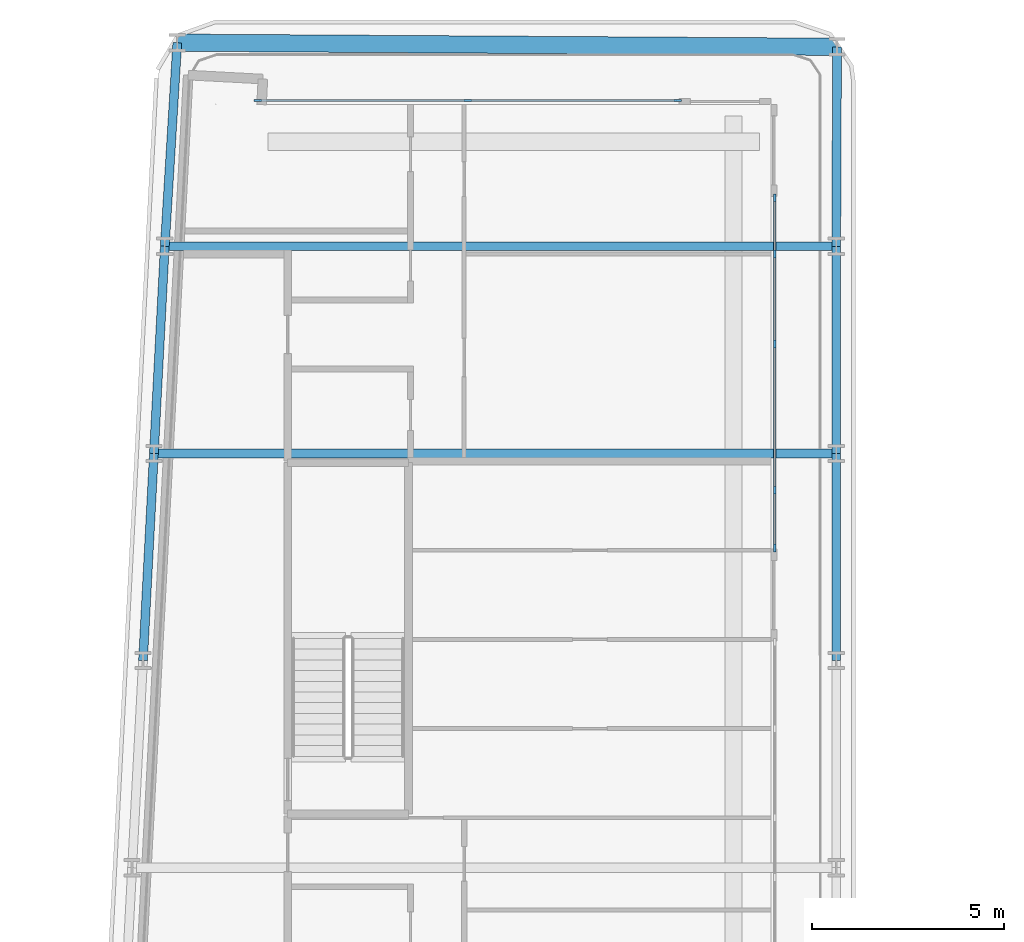
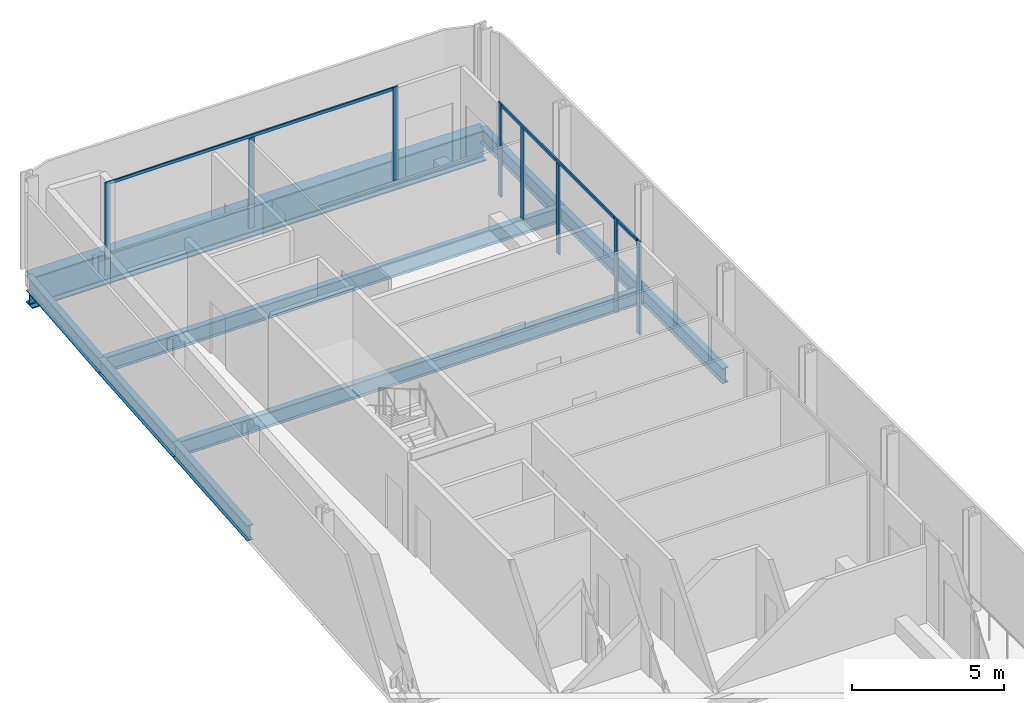
# One storey, part 9 of 27: 11 members, 9 beams, 3 elements without a shape of their own.
"""IFC4 building model written with IfcOpenShell, lengths in metres."""

import ifcopenshell
import ifcopenshell.guid

model = None  # the IFC model being written
_history = None  # IfcOwnerHistory: only IFC2X3 demands one
_inside = {}  # id of a spatial element -> (the spatial element, [elements in it])
_under = {}  # id of a project, library or spatial element -> (it, [spatial elements below it])
_declared = {}  # id of a project -> (the project, [libraries it declares])
_typed = {}  # id of a type object -> (the type object, [elements of that type])
_made_of = {}  # id of a material, layer set ... -> (it, [elements and type objects made of it])


def new_model(schema):
    """Start an empty IFC model of exactly this schema.

    Asked for "IFC4X3", IfcOpenShell would pick the latest addendum, in which some entities
    have other attributes; the version numbers below select the first issue.
    IFC2X3 requires an IfcOwnerHistory on every rooted entity: one is made here for all.
    """
    global model, _history
    if schema == "IFC4X3":
        model = ifcopenshell.file(schema_version=(4, 3, 0, 0))
    else:
        model = ifcopenshell.file(schema=schema)
    _inside.clear()
    _under.clear()
    _declared.clear()
    _typed.clear()
    _made_of.clear()
    _history = None
    if model.schema == "IFC2X3":
        org = make("IfcOrganization", Name="unknown")
        user = make(
            "IfcPersonAndOrganization",
            ThePerson=make("IfcPerson", FamilyName="unknown"),
            TheOrganization=org,
        )
        app = make(
            "IfcApplication",
            ApplicationDeveloper=org,
            Version="unknown",
            ApplicationFullName="unknown",
            ApplicationIdentifier="unknown",
        )
        _history = make(
            "IfcOwnerHistory",
            OwningUser=user,
            OwningApplication=app,
            ChangeAction="ADDED",
            CreationDate=0,
        )
    return model


def make(cls, **values):
    """One entity of the class cls with the attributes given. An attribute that is None is left unset."""
    return model.create_entity(
        cls, **{name: value for name, value in values.items() if value is not None}
    )


def rooted(cls, **values):
    """An entity with a GlobalId (a new one), such as an element, a storey or a relation."""
    return make(cls, GlobalId=ifcopenshell.guid.new(), OwnerHistory=_history, **values)


def si_unit(unit_type, name, prefix=None):
    """IfcSIUnit, for example si_unit("LENGTHUNIT", "METRE", prefix="MILLI")."""
    return make("IfcSIUnit", UnitType=unit_type, Prefix=prefix, Name=name)


def assignment(units):
    """IfcUnitAssignment: the units of a project."""
    return None if units is None else make("IfcUnitAssignment", Units=units)


def point(xyz):
    """IfcCartesianPoint."""
    return None if xyz is None else make("IfcCartesianPoint", Coordinates=xyz)


def direction(xyz):
    """IfcDirection."""
    return None if xyz is None else make("IfcDirection", DirectionRatios=xyz)


def frame(location, z_axis=None, x_axis=None):
    """IfcAxis2Placement3D, a coordinate frame: its origin and axes. An axis left out is left unset."""
    return make(
        "IfcAxis2Placement3D",
        Location=point(location),
        Axis=direction(z_axis),
        RefDirection=direction(x_axis),
    )


def frame_2d(location, x_axis=None):
    """IfcAxis2Placement2D, a coordinate frame in the plane: its origin and x axis."""
    return make(
        "IfcAxis2Placement2D", Location=point(location), RefDirection=direction(x_axis)
    )


def origin():
    """The frame at (0, 0, 0) with its axes left unset."""
    return frame((0.0, 0.0, 0.0))


def origin_2d():
    """The frame at (0, 0) in the plane with its x axis left unset."""
    return frame_2d((0.0, 0.0))


def place(relative_to, where):
    """IfcLocalPlacement: puts the frame where relative to a parent placement (None: the world)."""
    return make(
        "IfcLocalPlacement", PlacementRelTo=relative_to, RelativePlacement=where
    )


def context(
    kind, dimensions, precision=None, world=None, true_north=None, identifier=None
):
    """IfcGeometricRepresentationContext, for example the 3D "Model" context."""
    return make(
        "IfcGeometricRepresentationContext",
        ContextIdentifier=identifier,
        ContextType=kind,
        CoordinateSpaceDimension=dimensions,
        Precision=precision,
        WorldCoordinateSystem=world,
        TrueNorth=true_north,
    )


def subcontext(parent, identifier, kind, view, scale=None):
    """IfcGeometricRepresentationSubContext, for example "Body" below "Model"."""
    return make(
        "IfcGeometricRepresentationSubContext",
        ContextIdentifier=identifier,
        ContextType=kind,
        ParentContext=parent,
        TargetScale=scale,
        TargetView=view,
    )


def project(units=None, contexts=None):
    """IfcProject with its units and contexts."""
    return rooted(
        "IfcProject",
        Name="project",
        RepresentationContexts=contexts,
        UnitsInContext=assignment(units),
    )


def spatial(cls, under=None, at=None, **own):
    """A site, building, storey or space (cls), placed at a placement, below another one or the project."""
    s = rooted(cls, ObjectPlacement=at, **own)
    if under is not None:
        _under.setdefault(under.id(), (under, []))[1].append(s)
    return s


def profile(cls, at=None, kind="AREA", **sizes):
    """A parametric profile (cls). Its sizes go by their IFC names, for example OverallWidth=200.0."""
    return make(cls, ProfileType=kind, Position=at, **sizes)


def rectangle(**sizes):
    """IfcRectangleProfileDef."""
    return profile("IfcRectangleProfileDef", **sizes)


def i_section(**sizes):
    """IfcIShapeProfileDef."""
    return profile("IfcIShapeProfileDef", **sizes)


def extrude(swept, where, along, depth):
    """IfcExtrudedAreaSolid: the profile swept, set in the frame where, extruded along a direction by depth."""
    return make(
        "IfcExtrudedAreaSolid",
        SweptArea=swept,
        Position=where,
        ExtrudedDirection=direction(along),
        Depth=depth,
    )


def shape(context_of_items, identifier, shape_type, items):
    """IfcShapeRepresentation: the items that make up one representation, for example the "Body"."""
    return make(
        "IfcShapeRepresentation",
        ContextOfItems=context_of_items,
        RepresentationIdentifier=identifier,
        RepresentationType=shape_type,
        Items=items,
    )


def material(Name=None, Category=None):
    """IfcMaterial."""
    return make("IfcMaterial", Name=Name, Category=Category)


def layer(
    of_material, thickness, ventilated=None, Name=None, Category=None, Priority=None
):
    """IfcMaterialLayer: one layer of a wall or slab, of a material (None: an air gap)."""
    return make(
        "IfcMaterialLayer",
        Material=of_material,
        LayerThickness=thickness,
        IsVentilated=ventilated,
        Name=Name,
        Category=Category,
        Priority=Priority,
    )


def layer_set(layers, Name=None):
    """IfcMaterialLayerSet."""
    return make("IfcMaterialLayerSet", MaterialLayers=layers, LayerSetName=Name)


def material_profile(
    of_material, cross_section, Name=None, Category=None, Priority=None
):
    """IfcMaterialProfile: a cross section and its material."""
    return make(
        "IfcMaterialProfile",
        Name=Name,
        Material=of_material,
        Profile=cross_section,
        Priority=Priority,
        Category=Category,
    )


def profile_set(profiles, Name=None, composite=None):
    """IfcMaterialProfileSet."""
    return make(
        "IfcMaterialProfileSet",
        Name=Name,
        MaterialProfiles=profiles,
        CompositeProfile=composite,
    )


def made_of(thing, what):
    """Note that an element or type object is made of a material, layer set ...; save() writes the relation."""
    if what is not None:
        _made_of.setdefault(what.id(), (what, []))[1].append(thing)
    return thing


def type_object(cls, material=None, **own):
    """A type object (cls), such as IfcWallType, which elements share."""
    return made_of(rooted(cls, **own), material)


def element(
    cls,
    number,
    at=None,
    inside=None,
    cuts=None,
    type_object=None,
    material=None,
    context=None,
    identifier="Body",
    shape_type=None,
    held_by="IfcProductDefinitionShape",
    body=None,
    shapes=None,
    **own,
):
    """One element of the class cls, such as IfcWall. Its Tag is "e" and its number.

    at: its placement. inside: the storey or other place that contains it. cuts: it is an
    opening in that element (IfcRelVoidsElement). A single representation is given by context,
    identifier, shape_type and body (its items); several are given by shapes. held_by: the class
    of the entity that holds the representations. save() writes the other relations.
    """
    e = rooted(cls, Tag="e%d" % number, ObjectPlacement=at, **own)
    if body is not None:
        shapes = [shape(context, identifier, shape_type, body)]
    if shapes is not None:
        e.Representation = make(held_by, Representations=shapes)
    if inside is not None:
        _inside.setdefault(inside.id(), (inside, []))[1].append(e)
    if cuts is not None:
        rooted(
            "IfcRelVoidsElement", RelatingBuildingElement=cuts, RelatedOpeningElement=e
        )
    if type_object is not None:
        _typed.setdefault(type_object.id(), (type_object, []))[1].append(e)
    return made_of(e, material)


def aggregate(whole, parts):
    """IfcRelAggregates: a whole, such as a stair, and the parts it consists of."""
    return rooted("IfcRelAggregates", RelatingObject=whole, RelatedObjects=parts)


def save(model, path):
    """Write the relations noted so far, then the file.

    IfcRelAggregates (storeys below a building ...), IfcRelContainedInSpatialStructure (elements
    in a storey), IfcRelDefinesByType, IfcRelAssociatesMaterial and IfcRelDeclares: one each for
    every whole, place, type object, material and project.
    """
    for whole, parts in _under.values():
        aggregate(whole, parts)
    for where, things in _inside.values():
        rooted(
            "IfcRelContainedInSpatialStructure",
            RelatedElements=things,
            RelatingStructure=where,
        )
    for kind, things in _typed.values():
        rooted("IfcRelDefinesByType", RelatedObjects=things, RelatingType=kind)
    for what, things in _made_of.values():
        rooted("IfcRelAssociatesMaterial", RelatedObjects=things, RelatingMaterial=what)
    for by, libraries in _declared.values():
        rooted("IfcRelDeclares", RelatingContext=by, RelatedDefinitions=libraries)
    model.write(path)


model = new_model("IFC4")

# Units and contexts
model_context = context("Model", 3, precision=1e-05, world=origin(), true_north=direction((0.0, 1.0)))
body_context = subcontext(model_context, "Body", "Model", "MODEL_VIEW")
ifc_project = project(units=[si_unit("LENGTHUNIT", "METRE"), si_unit("AREAUNIT", "SQUARE_METRE"), si_unit("VOLUMEUNIT", "CUBIC_METRE"), si_unit("PLANEANGLEUNIT", "RADIAN"), si_unit("MASSUNIT", "GRAM", prefix="KILO")], contexts=[model_context])

# Site, building, storey
site_placement = place(None, origin())
site = spatial("IfcSite", under=ifc_project, at=site_placement, CompositionType="ELEMENT")
building_placement = place(site_placement, origin())
building = spatial("IfcBuilding", under=site, at=building_placement, Name="Kheshtan School and Residences Tower", CompositionType="ELEMENT")
storey_placement = place(building_placement, frame((0.0, 0.0, 46.10009765625)))
storey = spatial("IfcBuildingStorey", under=building, at=storey_placement, Name="L10", CompositionType="ELEMENT", Elevation=46.10009765625)

# Beams
ifc_material_1 = material(Name="Steel ASTM A992 Grade 50", Category="steel")
ifc_material_profile_1 = material_profile(ifc_material_1, i_section(OverallWidth=0.22802734375, OverallDepth=0.60302734375, WebThickness=0.010498046875, FlangeThickness=0.014892578125, FilletRadius=0.013427734375, at=origin_2d()), Name="W610x101")
ifc_profile_set_1 = profile_set([ifc_material_profile_1], Name="Steel ASTM A992 Grade 50")
beam_type_1 = type_object("IfcBeamType", Name="Beam FB5 W610x101 ASTM A992 Grade 50", PredefinedType="BEAM", material=ifc_profile_set_1)
beam_1_placement = place(storey_placement, frame((47.60009765625, 94.199951171875, -0.45166015625), z_axis=(-1.0, 0.0, 0.0), x_axis=(0.0, -1.0, 0.0)))
element("IfcBeam", 1, at=beam_1_placement, inside=storey, type_object=beam_type_1, Name="Floor beam C107", PredefinedType="BEAM", context=body_context, shape_type="SweptSolid", body=[
    extrude(i_section(OverallWidth=0.22802734375, OverallDepth=0.60302734375, WebThickness=0.010498046875, FlangeThickness=0.014892578125, FilletRadius=0.013427734375, at=origin_2d()), origin(), (0.0, 0.0, 1.0), 17.505126953125),
])
beam_2_placement = place(storey_placement, frame((29.81103515625, 88.800048828125, -0.45166015625), z_axis=(1.0, 0.0, 0.0), x_axis=(0.0, 1.0, 0.0)))
element("IfcBeam", 2, at=beam_2_placement, inside=storey, type_object=beam_type_1, Name="Floor beam C098", PredefinedType="BEAM", context=body_context, shape_type="SweptSolid", body=[
    extrude(i_section(OverallWidth=0.22802734375, OverallDepth=0.60302734375, WebThickness=0.010498046875, FlangeThickness=0.014892578125, FilletRadius=0.013427734375, at=origin_2d()), origin(), (0.0, 0.0, 1.0), 17.7890625),
])
ifc_material_profile_2 = material_profile(ifc_material_1, i_section(OverallWidth=0.22998046875, OverallDepth=0.616943359375, WebThickness=0.01318359375, FlangeThickness=0.022216796875, FilletRadius=0.0185546875, at=origin_2d()), Name="W610x140")
ifc_profile_set_2 = profile_set([ifc_material_profile_2], Name="Steel ASTM A992 Grade 50")
beam_type_2 = type_object("IfcBeamType", Name="Beam SP1 W610x140 ASTM A992 Grade 50", PredefinedType="BEAM", material=ifc_profile_set_2)
beam_3_placement = place(storey_placement, frame((47.6220703125, 99.40087890625, -0.45849609375), z_axis=(-0.004224719374, -0.999991075833, 0.0), x_axis=(0.999991075833, -0.004224719374, 0.0)))
element("IfcBeam", 3, at=beam_3_placement, inside=storey, type_object=beam_type_2, Name="Spandrel beam C111-C107", PredefinedType="BEAM", context=body_context, shape_type="SweptSolid", body=[
    extrude(i_section(OverallWidth=0.22998046875, OverallDepth=0.616943359375, WebThickness=0.01318359375, FlangeThickness=0.022216796875, FilletRadius=0.0185546875, at=origin_2d()), origin(), (0.0, 0.0, 1.0), 5.200927734375),
])
beam_4_placement = place(storey_placement, frame((47.60009765625, 94.199951171875, -0.45849609375), z_axis=(0.0, -1.0, 0.0), x_axis=(1.0, 0.0, 0.0)))
element("IfcBeam", 4, at=beam_4_placement, inside=storey, type_object=beam_type_2, Name="Spandrel beam C107-C099", PredefinedType="BEAM", context=body_context, shape_type="SweptSolid", body=[
    extrude(i_section(OverallWidth=0.22998046875, OverallDepth=0.616943359375, WebThickness=0.01318359375, FlangeThickness=0.022216796875, FilletRadius=0.0185546875, at=origin_2d()), origin(), (0.0, 0.0, 1.0), 5.39990234375),
])
beam_5_placement = place(storey_placement, frame((47.60009765625, 88.800048828125, -0.45849609375), z_axis=(0.0, -1.0, 0.0), x_axis=(1.0, 0.0, 0.0)))
element("IfcBeam", 5, at=beam_5_placement, inside=storey, type_object=beam_type_2, Name="Spandrel beam C099-C091", PredefinedType="BEAM", context=body_context, shape_type="SweptSolid", body=[
    extrude(i_section(OverallWidth=0.22998046875, OverallDepth=0.616943359375, WebThickness=0.01318359375, FlangeThickness=0.022216796875, FilletRadius=0.0185546875, at=origin_2d()), origin(), (0.0, 0.0, 1.0), 5.400146484375),
])
beam_6_placement = place(storey_placement, frame((29.527099609375, 83.39990234375, -0.45849609375), z_axis=(0.05250670125, 0.998620571751, 0.0), x_axis=(-0.998620571751, 0.05250670125, 0.0)))
element("IfcBeam", 6, at=beam_6_placement, inside=storey, type_object=beam_type_2, Name="Spandrel beam C090-C098", PredefinedType="BEAM", context=body_context, shape_type="SweptSolid", body=[
    extrude(i_section(OverallWidth=0.22998046875, OverallDepth=0.616943359375, WebThickness=0.01318359375, FlangeThickness=0.022216796875, FilletRadius=0.0185546875, at=origin_2d()), origin(), (0.0, 0.0, 1.0), 5.40771484375),
])
beam_7_placement = place(storey_placement, frame((29.81103515625, 88.800048828125, -0.45849609375), z_axis=(0.05250906864, 0.998620447272, 0.0), x_axis=(-0.998620447272, 0.05250906864, 0.0)))
element("IfcBeam", 7, at=beam_7_placement, inside=storey, type_object=beam_type_2, Name="Spandrel beam C098-C106", PredefinedType="BEAM", context=body_context, shape_type="SweptSolid", body=[
    extrude(i_section(OverallWidth=0.22998046875, OverallDepth=0.616943359375, WebThickness=0.01318359375, FlangeThickness=0.022216796875, FilletRadius=0.0185546875, at=origin_2d()), origin(), (0.0, 0.0, 1.0), 5.407470703125),
])
beam_8_placement = place(storey_placement, frame((30.094970703125, 94.199951171875, -0.45849609375), z_axis=(0.061275241914, 0.998120906869, 0.0), x_axis=(-0.998120906869, 0.061275241914, 0.0)))
element("IfcBeam", 8, at=beam_8_placement, inside=storey, type_object=beam_type_2, Name="Spandrel beam C106-C120", PredefinedType="BEAM", context=body_context, shape_type="SweptSolid", body=[
    extrude(i_section(OverallWidth=0.22998046875, OverallDepth=0.616943359375, WebThickness=0.01318359375, FlangeThickness=0.022216796875, FilletRadius=0.0185546875, at=origin_2d()), origin(), (0.0, 0.0, 1.0), 5.319091796875),
])

# Curtain wall, members
ifc_material_2 = material(Name="Clear low-e glass in thermally broken aluminium frame", Category="aluminium")
ifc_layer = layer(ifc_material_2, 0.199951171875)
ifc_layer_set = layer_set([ifc_layer], Name="Curtain wall CW-L")
curtain_wall_type = type_object("IfcCurtainWallType", Name="Curtain wall CW-L", PredefinedType="NOTDEFINED", material=ifc_layer_set)
curtain_wall_1_placement = place(storey_placement, origin())
curtain_wall_1 = element("IfcCurtainWall", 9, at=curtain_wall_1_placement, inside=storey, type_object=curtain_wall_type, Name="Curtain wall CWL7", PredefinedType="NOTDEFINED")
ifc_material_3 = material(Name="Thermally broken aluminium, dark bronze anodised", Category="aluminium")
ifc_material_profile_3 = material_profile(ifc_material_3, rectangle(XDim=0.06005859375, YDim=0.199951171875, at=origin_2d()), Name="CW-L mullion 60x200")
ifc_profile_set_3 = profile_set([ifc_material_profile_3], Name="Thermally broken aluminium, dark bronze anodised")
member_type_1 = type_object("IfcMemberType", Name="CW-L mullion 60x200", PredefinedType="MULLION", material=ifc_profile_set_3)
member_1_placement = place(storey_placement, frame((32.52197265625, 98.0, 0.0), z_axis=(0.0, 0.0, 1.0), x_axis=(0.0, 1.0, 0.0)))
member_1 = element("IfcMember", 10, at=member_1_placement, type_object=member_type_1, Name="CWL7 mullion 1", PredefinedType="MULLION", context=body_context, shape_type="SweptSolid", body=[
    extrude(rectangle(XDim=0.06005859375, YDim=0.199951171875, at=origin_2d()), origin(), (0.0, 0.0, 1.0), 3.75),
])
member_2_placement = place(storey_placement, frame((37.99609375, 98.0, 0.0), z_axis=(0.0, 0.0, 1.0), x_axis=(0.0, 1.0, 0.0)))
member_2 = element("IfcMember", 11, at=member_2_placement, type_object=member_type_1, Name="CWL7 mullion 2", PredefinedType="MULLION", context=body_context, shape_type="SweptSolid", body=[
    extrude(rectangle(XDim=0.06005859375, YDim=0.199951171875, at=origin_2d()), origin(), (0.0, 0.0, 1.0), 3.6298828125),
])
member_3_placement = place(storey_placement, frame((43.469970703125, 98.0, 0.0), z_axis=(0.0, 0.0, 1.0), x_axis=(0.0, 1.0, 0.0)))
member_3 = element("IfcMember", 12, at=member_3_placement, type_object=member_type_1, Name="CWL7 mullion 3", PredefinedType="MULLION", context=body_context, shape_type="SweptSolid", body=[
    extrude(rectangle(XDim=0.06005859375, YDim=0.199951171875, at=origin_2d()), origin(), (0.0, 0.0, 1.0), 3.75),
])

curtain_wall_2_placement = place(storey_placement, origin())
curtain_wall_2 = element("IfcCurtainWall", 13, at=curtain_wall_2_placement, inside=storey, type_object=curtain_wall_type, Name="Curtain wall CWL8c", PredefinedType="NOTDEFINED")
member_4_placement = place(storey_placement, frame((46.0, 95.469970703125, 0.0), z_axis=(0.0, 0.0, 1.0), x_axis=(1.0, 0.0, 0.0)))
member_4 = element("IfcMember", 14, at=member_4_placement, type_object=member_type_1, Name="CWL8c mullion 1", PredefinedType="MULLION", context=body_context, shape_type="SweptSolid", body=[
    extrude(rectangle(XDim=0.06005859375, YDim=0.199951171875, at=origin_2d()), origin(), (0.0, 0.0, 1.0), 3.75),
])
member_5_placement = place(storey_placement, frame((46.0, 94.0, 0.0), z_axis=(0.0, 0.0, 1.0), x_axis=(1.0, 0.0, 0.0)))
member_5 = element("IfcMember", 15, at=member_5_placement, type_object=member_type_1, Name="CWL8c mullion 2", PredefinedType="MULLION", context=body_context, shape_type="SweptSolid", body=[
    extrude(rectangle(XDim=0.06005859375, YDim=0.199951171875, at=origin_2d()), origin(), (0.0, 0.0, 1.0), 3.6298828125),
])
member_6_placement = place(storey_placement, frame((46.0, 91.653076171875, 0.0), z_axis=(0.0, 0.0, 1.0), x_axis=(1.0, 0.0, 0.0)))
member_6 = element("IfcMember", 16, at=member_6_placement, type_object=member_type_1, Name="CWL8c mullion 3", PredefinedType="MULLION", context=body_context, shape_type="SweptSolid", body=[
    extrude(rectangle(XDim=0.06005859375, YDim=0.199951171875, at=origin_2d()), origin(), (0.0, 0.0, 1.0), 3.6298828125),
])
member_7_placement = place(storey_placement, frame((46.0, 87.8359375, 0.0), z_axis=(0.0, 0.0, 1.0), x_axis=(1.0, 0.0, 0.0)))
member_7 = element("IfcMember", 17, at=member_7_placement, type_object=member_type_1, Name="CWL8c mullion 4", PredefinedType="MULLION", context=body_context, shape_type="SweptSolid", body=[
    extrude(rectangle(XDim=0.06005859375, YDim=0.199951171875, at=origin_2d()), origin(), (0.0, 0.0, 1.0), 3.75),
])

# Curtain wall, member
curtain_wall_3_placement = place(storey_placement, origin())
curtain_wall_3 = element("IfcCurtainWall", 18, at=curtain_wall_3_placement, inside=storey, type_object=curtain_wall_type, Name="Curtain wall CWL8a", PredefinedType="NOTDEFINED")
member_8_placement = place(storey_placement, frame((46.0, 86.3359375, 0.0), z_axis=(0.0, 0.0, 1.0), x_axis=(1.0, 0.0, 0.0)))
member_8 = element("IfcMember", 19, at=member_8_placement, type_object=member_type_1, Name="CWL8a mullion 2", PredefinedType="MULLION", context=body_context, shape_type="SweptSolid", body=[
    extrude(rectangle(XDim=0.06005859375, YDim=0.199951171875, at=origin_2d()), origin(), (0.0, 0.0, 1.0), 3.75),
])

# Member
ifc_material_profile_4 = material_profile(ifc_material_3, rectangle(XDim=0.06005859375, YDim=0.1201171875, at=origin_2d()), Name="CW-L transom 60x120")
ifc_profile_set_4 = profile_set([ifc_material_profile_4], Name="Thermally broken aluminium, dark bronze anodised")
member_type_2 = type_object("IfcMemberType", Name="CW-L transom 60x120", PredefinedType="USERDEFINED", material=ifc_profile_set_4)
member_9_placement = place(storey_placement, frame((32.552001953125, 98.0, 3.68994140625), z_axis=(1.0, 0.0, 0.0), x_axis=(0.0, 1.0, 0.0)))
member_9 = element("IfcMember", 20, at=member_9_placement, type_object=member_type_2, Name="CWL7 transom 1", ObjectType="TRANSOM", PredefinedType="USERDEFINED", context=body_context, shape_type="SweptSolid", body=[
    extrude(rectangle(XDim=0.06005859375, YDim=0.1201171875, at=origin_2d()), origin(), (0.0, 0.0, 1.0), 10.887939453125),
])

aggregate(curtain_wall_1, [member_1, member_2, member_3, member_9])

member_10_placement = place(storey_placement, frame((46.0, 95.43994140625, 3.68994140625), z_axis=(0.0, -1.0, 0.0), x_axis=(1.0, 0.0, 0.0)))
member_10 = element("IfcMember", 21, at=member_10_placement, type_object=member_type_2, Name="CWL8c transom 1", ObjectType="TRANSOM", PredefinedType="USERDEFINED", context=body_context, shape_type="SweptSolid", body=[
    extrude(rectangle(XDim=0.06005859375, YDim=0.1201171875, at=origin_2d()), origin(), (0.0, 0.0, 1.0), 7.573974609375),
])

aggregate(curtain_wall_2, [member_4, member_5, member_6, member_7, member_10])

member_11_placement = place(storey_placement, frame((46.0, 87.805908203125, 3.68994140625), z_axis=(0.0, -1.0, 0.0), x_axis=(1.0, 0.0, 0.0)))
member_11 = element("IfcMember", 22, at=member_11_placement, type_object=member_type_2, Name="CWL8a transom 1", ObjectType="TRANSOM", PredefinedType="USERDEFINED", context=body_context, shape_type="SweptSolid", body=[
    extrude(rectangle(XDim=0.06005859375, YDim=0.1201171875, at=origin_2d()), origin(), (0.0, 0.0, 1.0), 1.43994140625),
])

aggregate(curtain_wall_3, [member_8, member_11])

# Beam
ifc_material_profile_5 = material_profile(ifc_material_1, i_section(OverallWidth=0.449951171875, OverallDepth=1.25, WebThickness=0.02490234375, FlangeThickness=0.044921875, FilletRadius=0.03759765625, at=origin_2d()), Name="WWF1250x546")
ifc_profile_set_5 = profile_set([ifc_material_profile_5], Name="Steel ASTM A992 Grade 50")
beam_type_3 = type_object("IfcBeamType", Name="Transfer girder TG4 WWF1250x546 ASTM A992 Grade 50", PredefinedType="BEAM", material=ifc_profile_set_5)
beam_9_placement = place(storey_placement, frame((30.4208984375, 99.509033203125, -0.775146484375), z_axis=(0.999980233553, -0.006287487843, 0.0), x_axis=(0.006287487843, 0.999980233553, 0.0)))
element("IfcBeam", 23, at=beam_9_placement, inside=storey, type_object=beam_type_3, Name="Transfer girder C120-C111", PredefinedType="BEAM", context=body_context, shape_type="SweptSolid", body=[
    extrude(i_section(OverallWidth=0.449951171875, OverallDepth=1.25, WebThickness=0.02490234375, FlangeThickness=0.044921875, FilletRadius=0.03759765625, at=origin_2d()), origin(), (0.0, 0.0, 1.0), 17.201416015625),
])

save(model, "model.ifc")
